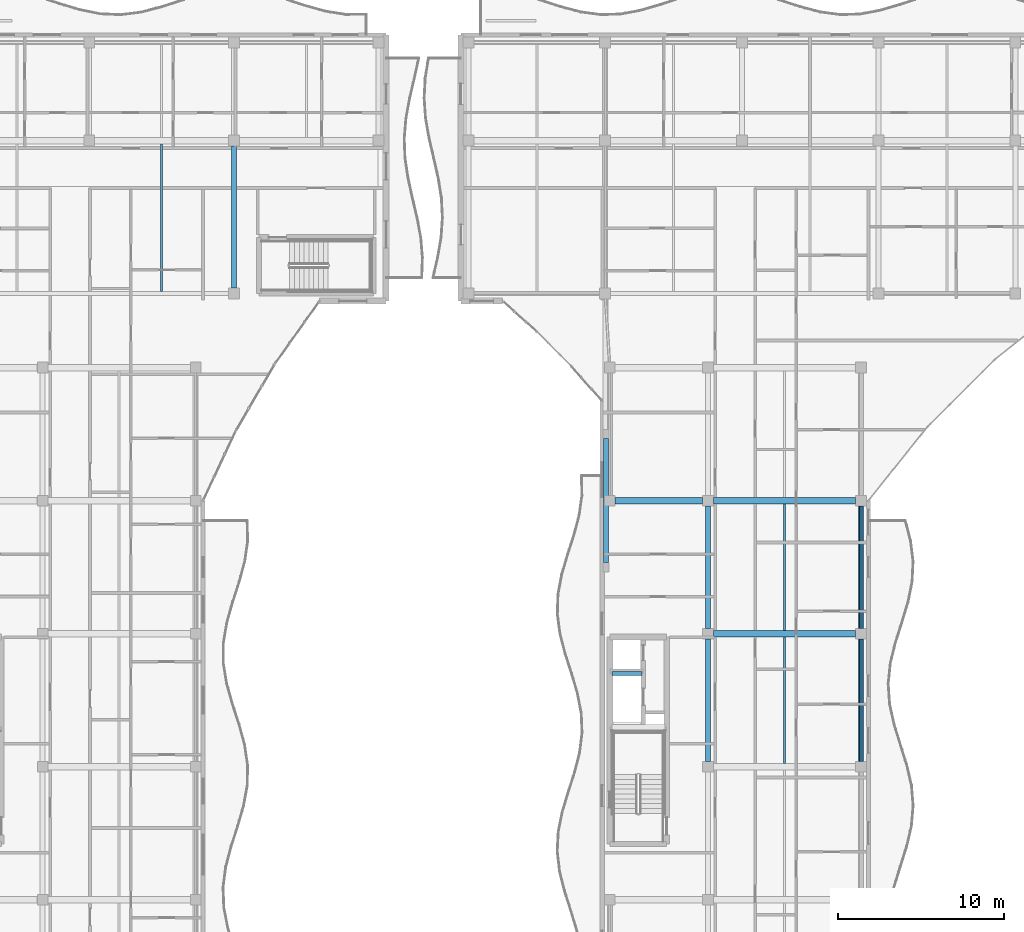
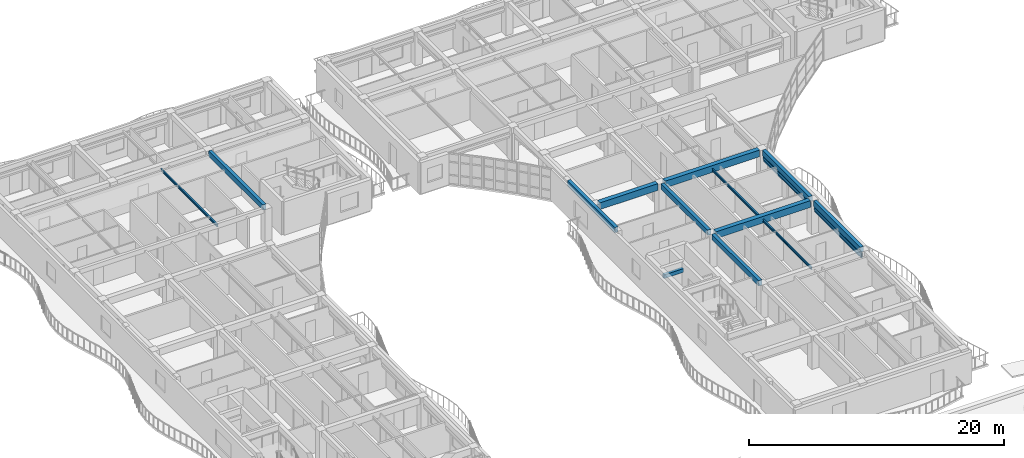
# One storey, part 43 of 128: 13 beams, 4 members.
"""IFC4 building model written with IfcOpenShell, lengths in metres."""

from ifc_helpers import new_model, si_unit, direction, frame, origin, origin_2d, place, context, subcontext, project, spatial, rectangle, hollow_rectangle, i_section, extrude, material, material_profile, profile_set, type_object, element, save


model = new_model("IFC4")

# Units and contexts
model_context = context("Model", 3, precision=1e-05, world=origin(), true_north=direction((0.0, 1.0)))
body_context = subcontext(model_context, "Body", "Model", "MODEL_VIEW")
ifc_project = project(units=[si_unit("LENGTHUNIT", "METRE"), si_unit("AREAUNIT", "SQUARE_METRE"), si_unit("VOLUMEUNIT", "CUBIC_METRE"), si_unit("PLANEANGLEUNIT", "RADIAN"), si_unit("MASSUNIT", "GRAM", prefix="KILO")], contexts=[model_context])

# Site, building, storey
site_placement = place(None, origin())
site = spatial("IfcSite", under=ifc_project, at=site_placement, CompositionType="ELEMENT")
building_placement = place(site_placement, origin())
building = spatial("IfcBuilding", under=site, at=building_placement, Name="Keldmere Railside Commons", CompositionType="ELEMENT")
storey_placement = place(building_placement, frame((0.0, 0.0, 4.159912109375)))
storey = spatial("IfcBuildingStorey", under=building, at=storey_placement, Name="L01", CompositionType="ELEMENT", Elevation=4.159912109375)

# Members
ifc_material_1 = material(Name="Steel F-36 (S355)", Category="steel")
ifc_material_profile_1 = material_profile(ifc_material_1, hollow_rectangle(XDim=0.14990234375, YDim=0.25, WallThickness=0.010009765625, at=origin_2d()), Name="RHS-250x150x10")
ifc_profile_set_1 = profile_set([ifc_material_profile_1], Name="Steel F-36 (S355)")
member_type_1 = type_object("IfcMemberType", Name="Balcony Continuous Planted Trough RHS250x150", PredefinedType="CHORD", material=ifc_profile_set_1)
for number, where, z_axis, x_axis, name in (
    (1, (63.550048828125, 72.324951171875, 2.4150390625), (0.0, 1.0, 0.0), (-1.0, 0.0, 0.0), "PLT-1 MEM-BPLT-0147"),
    (2, (63.550048828125, 80.324951171875, 2.4150390625), (0.0, 1.0, 0.0), (-1.0, 0.0, 0.0), "PLT-1 MEM-BPLT-0149"),
):
    element("IfcMember", number, at=place(storey_placement, frame(where, z_axis=z_axis, x_axis=x_axis)), inside=storey, type_object=member_type_1, Name=name, PredefinedType="CHORD", context=body_context, shape_type="SweptSolid", body=[
        extrude(hollow_rectangle(XDim=0.14990234375, YDim=0.25, WallThickness=0.010009765625, at=origin_2d()), origin(), (0.0, 0.0, 1.0), 7.35009765625),
    ])

# Beams
ifc_material_2 = material(Name="Concrete H-30 (C30/37)", Category="concrete")
ifc_material_profile_2 = material_profile(ifc_material_2, rectangle(XDim=0.25, YDim=0.35009765625, at=origin_2d()), Name="RC-250x350")
ifc_profile_set_2 = profile_set([ifc_material_profile_2], Name="Concrete H-30 (C30/37)")
beam_type_1 = type_object("IfcBeamType", Name="Masonry Opening RC Lintel 250x350", PredefinedType="LINTEL", material=ifc_profile_set_2)
beam_1_placement = place(storey_placement, frame((48.590087890625, 77.60009765625, 2.425048828125), z_axis=(1.0, 0.0, 0.0), x_axis=(0.0, 1.0, 0.0)))
element("IfcBeam", 3, at=beam_1_placement, inside=storey, type_object=beam_type_1, Name="LNT-1 BM-L01-2550", PredefinedType="LINTEL", context=body_context, shape_type="SweptSolid", body=[
    extrude(rectangle(XDim=0.25, YDim=0.35009765625, at=origin_2d()), origin(), (0.0, 0.0, 1.0), 1.809814453125),
])
ifc_material_profile_3 = material_profile(ifc_material_1, i_section(OverallWidth=0.1201171875, OverallDepth=0.239990234375, WebThickness=0.006103515625, FlangeThickness=0.009765625, at=origin_2d()), Name="IPE-240")
ifc_profile_set_3 = profile_set([ifc_material_profile_3], Name="Steel F-36 (S355)")
beam_type_2 = type_object("IfcBeamType", Name="Nursery & Mezzanine Steel Joist IPE240", PredefinedType="JOIST", material=ifc_profile_set_3)
for number, where, z_axis, x_axis, name in (
    (4, (58.949951171875, 72.199951171875, 2.81005859375), (0.0, 1.0, 0.0), (-1.0, 0.0, 0.0), "JST-2 BM-L01-1008"),
    (5, (58.949951171875, 80.199951171875, 2.81005859375), (0.0, 1.0, 0.0), (-1.0, 0.0, 0.0), "JST-2 BM-L01-1011"),
):
    element("IfcBeam", number, at=place(storey_placement, frame(where, z_axis=z_axis, x_axis=x_axis)), inside=storey, type_object=beam_type_2, Name=name, PredefinedType="JOIST", context=body_context, shape_type="SweptSolid", body=[
        extrude(i_section(OverallWidth=0.1201171875, OverallDepth=0.239990234375, WebThickness=0.006103515625, FlangeThickness=0.009765625, at=origin_2d()), origin(), (0.0, 0.0, 1.0), 7.60009765625),
    ])
beam_2_placement = place(storey_placement, frame((21.5, 100.574951171875, 2.81005859375), z_axis=(0.0, 1.0, 0.0), x_axis=(-1.0, 0.0, 0.0)))
element("IfcBeam", 6, at=beam_2_placement, inside=storey, type_object=beam_type_2, Name="JST-2 BM-L01-1018", PredefinedType="JOIST", context=body_context, shape_type="SweptSolid", body=[
    extrude(i_section(OverallWidth=0.1201171875, OverallDepth=0.239990234375, WebThickness=0.006103515625, FlangeThickness=0.009765625, at=origin_2d()), origin(), (0.0, 0.0, 1.0), 8.875),
])
ifc_material_profile_4 = material_profile(ifc_material_2, rectangle(XDim=0.39990234375, YDim=0.64990234375, at=origin_2d()), Name="RC-400x650")
ifc_profile_set_4 = profile_set([ifc_material_profile_4], Name="Concrete H-30 (C30/37)")
beam_type_3 = type_object("IfcBeamType", Name="Residential Spine RC Girder 400x650", PredefinedType="BEAM", material=ifc_profile_set_4)
beam_3_placement = place(storey_placement, frame((54.675048828125, 80.0, 2.875), z_axis=(1.0, 0.0, 0.0), x_axis=(0.0, 1.0, 0.0)))
element("IfcBeam", 7, at=beam_3_placement, inside=storey, type_object=beam_type_3, Name="BG-3 BM-L01-0800", PredefinedType="BEAM", context=body_context, shape_type="SweptSolid", body=[
    extrude(rectangle(XDim=0.39990234375, YDim=0.64990234375, at=origin_2d()), origin(), (0.0, 0.0, 1.0), 8.550048828125),
])
beam_4_placement = place(storey_placement, frame((48.77490234375, 88.0, 2.875), z_axis=(1.0, 0.0, 0.0), x_axis=(0.0, 1.0, 0.0)))
element("IfcBeam", 8, at=beam_4_placement, inside=storey, type_object=beam_type_3, Name="BG-3 BM-L01-0805", PredefinedType="BEAM", context=body_context, shape_type="SweptSolid", body=[
    extrude(rectangle(XDim=0.39990234375, YDim=0.64990234375, at=origin_2d()), origin(), (0.0, 0.0, 1.0), 5.25),
])
beam_5_placement = place(storey_placement, frame((54.675048828125, 88.0, 2.875), z_axis=(1.0, 0.0, 0.0), x_axis=(0.0, 1.0, 0.0)))
element("IfcBeam", 9, at=beam_5_placement, inside=storey, type_object=beam_type_3, Name="BG-3 BM-L01-0806", PredefinedType="BEAM", context=body_context, shape_type="SweptSolid", body=[
    extrude(rectangle(XDim=0.39990234375, YDim=0.64990234375, at=origin_2d()), origin(), (0.0, 0.0, 1.0), 8.550048828125),
])
ifc_material_profile_5 = material_profile(ifc_material_2, rectangle(XDim=0.300048828125, YDim=0.5, at=origin_2d()), Name="RC-300x500")
ifc_profile_set_5 = profile_set([ifc_material_profile_5], Name="Concrete H-30 (C30/37)")
beam_type_4 = type_object("IfcBeamType", Name="Secondary Frame RC Beam 300x500", PredefinedType="BEAM", material=ifc_profile_set_5)
beam_6_placement = place(storey_placement, frame((25.85009765625, 100.77490234375, 2.9501953125), z_axis=(0.0, 1.0, 0.0), x_axis=(-1.0, 0.0, 0.0)))
element("IfcBeam", 10, at=beam_6_placement, inside=storey, type_object=beam_type_4, Name="BG-5 BM-L01-0884", PredefinedType="BEAM", context=body_context, shape_type="SweptSolid", body=[
    extrude(rectangle(XDim=0.300048828125, YDim=0.5, at=origin_2d()), origin(), (0.0, 0.0, 1.0), 8.550048828125),
])
beam_7_placement = place(storey_placement, frame((48.219970703125, 84.27490234375, 2.9501953125), z_axis=(0.0, 1.0, 0.0), x_axis=(-1.0, 0.0, 0.0)))
element("IfcBeam", 11, at=beam_7_placement, inside=storey, type_object=beam_type_4, Name="BG-5 BM-L01-0889", PredefinedType="BEAM", context=body_context, shape_type="SweptSolid", body=[
    extrude(rectangle(XDim=0.300048828125, YDim=0.5, at=origin_2d()), origin(), (0.0, 0.0, 1.0), 7.4501953125),
])
for number, where, z_axis, x_axis, name in (
    (12, (54.35009765625, 72.324951171875, 2.9501953125), (0.0, 1.0, 0.0), (-1.0, 0.0, 0.0), "BG-5 BM-L01-0897"),
    (13, (54.35009765625, 80.324951171875, 2.9501953125), (0.0, 1.0, 0.0), (-1.0, 0.0, 0.0), "BG-5 BM-L01-0898"),
    (14, (63.550048828125, 72.324951171875, 2.9501953125), (0.0, 1.0, 0.0), (-1.0, 0.0, 0.0), "BG-5 BM-L01-0903"),
    (15, (63.550048828125, 80.324951171875, 2.9501953125), (0.0, 1.0, 0.0), (-1.0, 0.0, 0.0), "BG-5 BM-L01-0904"),
):
    element("IfcBeam", number, at=place(storey_placement, frame(where, z_axis=z_axis, x_axis=x_axis)), inside=storey, type_object=beam_type_4, Name=name, PredefinedType="BEAM", context=body_context, shape_type="SweptSolid", body=[
        extrude(rectangle(XDim=0.300048828125, YDim=0.5, at=origin_2d()), origin(), (0.0, 0.0, 1.0), 7.35009765625),
    ])

# Members
ifc_material_profile_6 = material_profile(ifc_material_1, hollow_rectangle(XDim=0.10009765625, YDim=0.159912109375, WallThickness=0.008056640625, at=origin_2d()), Name="RHS-160x100x8")
ifc_profile_set_6 = profile_set([ifc_material_profile_6], Name="Steel F-36 (S355)")
member_type_2 = type_object("IfcMemberType", Name="Solar Brise-Soleil Louvre Fin RHS160x100", PredefinedType="STRUT", material=ifc_profile_set_6)
for number, where, z_axis, x_axis, name in (
    (16, (63.550048828125, 72.324951171875, 2.2001953125), (0.0, 1.0, 0.0), (-1.0, 0.0, 0.0), "BSF-1 MEM-BSF-0148"),
    (17, (63.550048828125, 80.324951171875, 2.2001953125), (0.0, 1.0, 0.0), (-1.0, 0.0, 0.0), "BSF-1 MEM-BSF-0150"),
):
    element("IfcMember", number, at=place(storey_placement, frame(where, z_axis=z_axis, x_axis=x_axis)), inside=storey, type_object=member_type_2, Name=name, PredefinedType="STRUT", context=body_context, shape_type="SweptSolid", body=[
        extrude(hollow_rectangle(XDim=0.10009765625, YDim=0.159912109375, WallThickness=0.008056640625, at=origin_2d()), origin(), (0.0, 0.0, 1.0), 7.35009765625),
    ])

save(model, "model.ifc")
